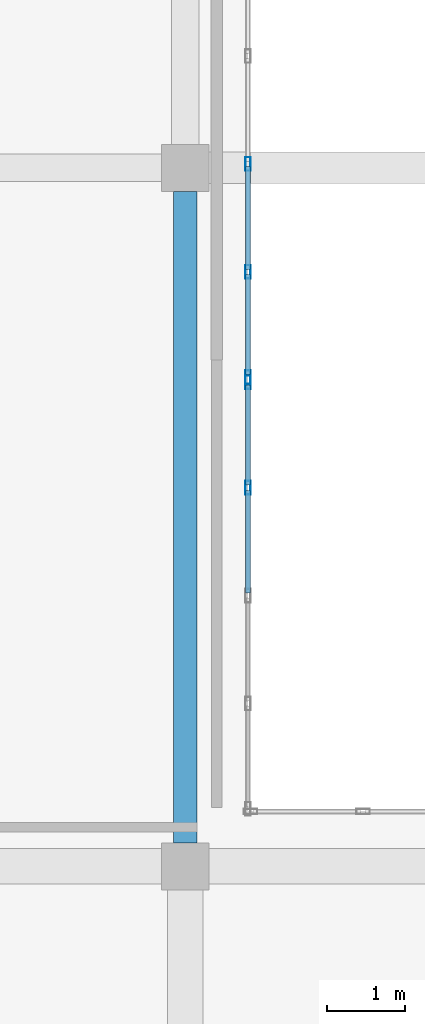
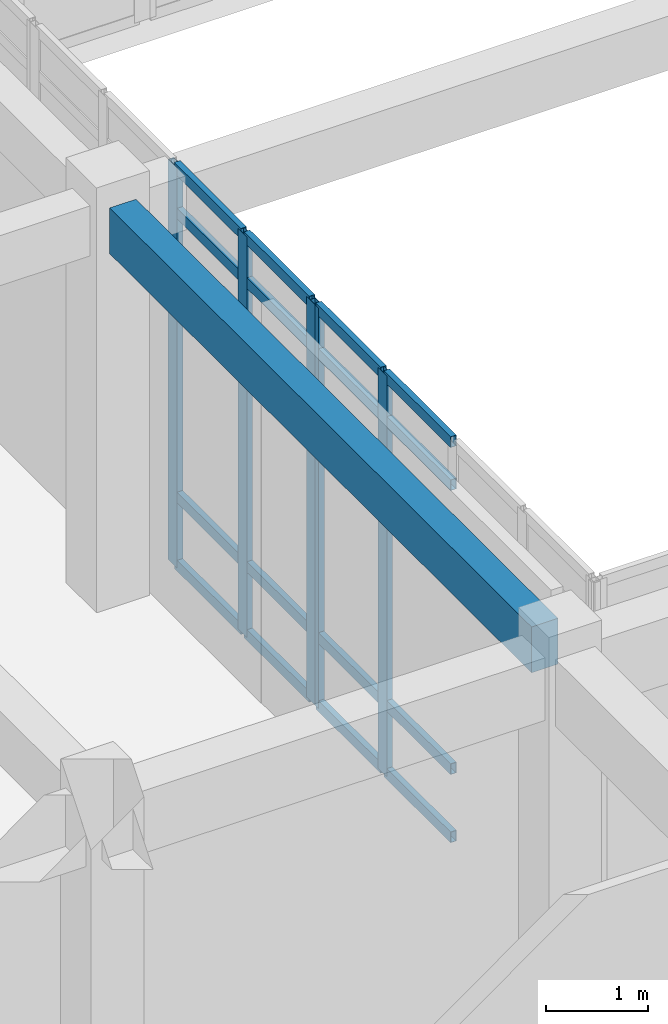
# One storey, part 62 of 121: 21 members, 1 beam, 2 elements without a shape of their own.
"""IFC4 building model written with IfcOpenShell, lengths in metres."""

from ifc_helpers import new_model, si_unit, direction, frame, origin, origin_2d, place, context, subcontext, project, spatial, rectangle, hollow_rectangle, extrude, material, layer, layer_set, material_profile, profile_set, type_object, element, aggregate, save


model = new_model("IFC4")

# Units and contexts
model_context = context("Model", 3, precision=1e-05, world=origin(), true_north=direction((0.0, 1.0)))
body_context = subcontext(model_context, "Body", "Model", "MODEL_VIEW")
ifc_project = project(units=[si_unit("LENGTHUNIT", "METRE"), si_unit("AREAUNIT", "SQUARE_METRE"), si_unit("VOLUMEUNIT", "CUBIC_METRE"), si_unit("PLANEANGLEUNIT", "RADIAN"), si_unit("MASSUNIT", "GRAM", prefix="KILO")], contexts=[model_context])

# Site, building, storey
site_placement = place(None, origin())
site = spatial("IfcSite", under=ifc_project, at=site_placement, CompositionType="ELEMENT")
building_placement = place(site_placement, origin())
building = spatial("IfcBuilding", under=site, at=building_placement, Name="Valcora Specialist Clinic", CompositionType="ELEMENT")
storey_placement = place(building_placement, origin())
storey = spatial("IfcBuildingStorey", under=building, at=storey_placement, Name="L00", CompositionType="ELEMENT", Elevation=0.0)

# Beam
ifc_material_1 = material(Name="Concrete C40/50", Category="concrete")
ifc_material_profile_1 = material_profile(ifc_material_1, rectangle(XDim=0.300048828125, YDim=0.550048828125, at=origin_2d()), Name="RC-BM-300X550")
ifc_profile_set_1 = profile_set([ifc_material_profile_1], Name="Concrete C40/50")
beam_type = type_object("IfcBeamType", Name="TY-BM-RC300X550", PredefinedType="BEAM", material=ifc_profile_set_1)
beam_placement = place(storey_placement, frame((111.199951171875, 81.60009765625, 4.534912109375), z_axis=(0.0, 1.0, 0.0), x_axis=(-1.0, 0.0, 0.0)))
element("IfcBeam", 1, at=beam_placement, inside=storey, type_object=beam_type, Name="Beam BM-L00-0599", PredefinedType="BEAM", context=body_context, shape_type="SweptSolid", body=[
    extrude(rectangle(XDim=0.300048828125, YDim=0.550048828125, at=origin_2d()), origin(), (0.0, 0.0, 1.0), 8.2998046875),
])

# Curtain wall, members
ifc_material_2 = material(Name="Anodized Bronze Aluminium 6063-T6", Category="aluminium")
ifc_layer = layer(ifc_material_2, 0.175048828125)
ifc_layer_set = layer_set([ifc_layer], Name="Anodized Bronze Aluminium 6063-T6")
curtain_wall_type = type_object("IfcCurtainWallType", Name="TY-CW-CRT15", PredefinedType="NOTDEFINED", material=ifc_layer_set)
curtain_wall_1_placement = place(storey_placement, origin())
curtain_wall_1 = element("IfcCurtainWall", 2, at=curtain_wall_1_placement, inside=storey, type_object=curtain_wall_type, Name="Curtain wall CW-L00-051", PredefinedType="NOTDEFINED")
ifc_material_profile_2 = material_profile(ifc_material_2, hollow_rectangle(XDim=0.06494140625, YDim=0.175048828125, WallThickness=0.00390625, at=origin_2d()), Name="AL-MUL-65X175")
ifc_profile_set_2 = profile_set([ifc_material_profile_2], Name="Anodized Bronze Aluminium 6063-T6")
member_type_1 = type_object("IfcMemberType", Name="TY-CWM-65X175", PredefinedType="MULLION", material=ifc_profile_set_2)
member_1_placement = place(storey_placement, frame((112.0, 90.25, 0.0), z_axis=(0.0, 0.0, 1.0), x_axis=(1.0, 0.0, 0.0)))
member_1 = element("IfcMember", 3, at=member_1_placement, type_object=member_type_1, Name="CW-CRT-15 mullion 3", PredefinedType="MULLION", context=body_context, shape_type="SweptSolid", body=[
    extrude(hollow_rectangle(XDim=0.06494140625, YDim=0.175048828125, WallThickness=0.00390625, at=origin_2d()), origin(), (0.0, 0.0, 1.0), 4.81005859375),
])
member_2_placement = place(storey_placement, frame((112.0, 88.875, 0.0), z_axis=(0.0, 0.0, 1.0), x_axis=(1.0, 0.0, 0.0)))
member_2 = element("IfcMember", 4, at=member_2_placement, type_object=member_type_1, Name="CW-CRT-15 mullion 4", PredefinedType="MULLION", context=body_context, shape_type="SweptSolid", body=[
    extrude(hollow_rectangle(XDim=0.06494140625, YDim=0.175048828125, WallThickness=0.00390625, at=origin_2d()), origin(), (0.0, 0.0, 1.0), 4.81005859375),
])
member_3_placement = place(storey_placement, frame((112.0, 87.532470703125, 0.0), z_axis=(0.0, 0.0, 1.0), x_axis=(1.0, 0.0, 0.0)))
member_3 = element("IfcMember", 5, at=member_3_placement, type_object=member_type_1, Name="CW-CRT-15 mullion 5", PredefinedType="MULLION", context=body_context, shape_type="SweptSolid", body=[
    extrude(hollow_rectangle(XDim=0.06494140625, YDim=0.175048828125, WallThickness=0.00390625, at=origin_2d()), origin(), (0.0, 0.0, 1.0), 4.81005859375),
])

curtain_wall_2_placement = place(storey_placement, origin())
curtain_wall_2 = element("IfcCurtainWall", 6, at=curtain_wall_2_placement, inside=storey, type_object=curtain_wall_type, Name="Curtain wall CW-L00-052", PredefinedType="NOTDEFINED")
member_4_placement = place(storey_placement, frame((112.0, 87.467529296875, 0.0), z_axis=(0.0, 0.0, 1.0), x_axis=(1.0, 0.0, 0.0)))
member_4 = element("IfcMember", 7, at=member_4_placement, type_object=member_type_1, Name="CW-CRT-15 mullion 1", PredefinedType="MULLION", context=body_context, shape_type="SweptSolid", body=[
    extrude(hollow_rectangle(XDim=0.06494140625, YDim=0.175048828125, WallThickness=0.00390625, at=origin_2d()), origin(), (0.0, 0.0, 1.0), 4.81005859375),
])
member_5_placement = place(storey_placement, frame((112.0, 86.125, 0.0), z_axis=(0.0, 0.0, 1.0), x_axis=(1.0, 0.0, 0.0)))
member_5 = element("IfcMember", 8, at=member_5_placement, type_object=member_type_1, Name="CW-CRT-15 mullion 2", PredefinedType="MULLION", context=body_context, shape_type="SweptSolid", body=[
    extrude(hollow_rectangle(XDim=0.06494140625, YDim=0.175048828125, WallThickness=0.00390625, at=origin_2d()), origin(), (0.0, 0.0, 1.0), 4.81005859375),
])

# Member
ifc_material_profile_3 = material_profile(ifc_material_2, hollow_rectangle(XDim=0.06494140625, YDim=0.1298828125, WallThickness=0.00390625, at=origin_2d()), Name="AL-TRN-65X130")
ifc_profile_set_3 = profile_set([ifc_material_profile_3], Name="Anodized Bronze Aluminium 6063-T6")
member_type_2 = type_object("IfcMemberType", Name="TY-CWT-65X130", PredefinedType="USERDEFINED", material=ifc_profile_set_3)
member_6_placement = place(storey_placement, frame((112.0, 90.217529296875, 0.032470703125), z_axis=(0.0, -1.0, 0.0), x_axis=(1.0, 0.0, 0.0)))
member_6 = element("IfcMember", 9, at=member_6_placement, type_object=member_type_2, Name="CW-CRT-15 transom 3.1", ObjectType="TRANSOM", PredefinedType="USERDEFINED", context=body_context, shape_type="SweptSolid", body=[
    extrude(hollow_rectangle(XDim=0.06494140625, YDim=0.1298828125, WallThickness=0.00390625, at=origin_2d()), origin(), (0.0, 0.0, 1.0), 1.31005859375),
])

member_7_placement = place(storey_placement, frame((112.0, 90.217529296875, 0.85009765625), z_axis=(0.0, -1.0, 0.0), x_axis=(1.0, 0.0, 0.0)))
member_7 = element("IfcMember", 10, at=member_7_placement, type_object=member_type_2, Name="CW-CRT-15 transom 3.2", ObjectType="TRANSOM", PredefinedType="USERDEFINED", context=body_context, shape_type="SweptSolid", body=[
    extrude(hollow_rectangle(XDim=0.06494140625, YDim=0.1298828125, WallThickness=0.00390625, at=origin_2d()), origin(), (0.0, 0.0, 1.0), 1.31005859375),
])

member_8_placement = place(storey_placement, frame((112.0, 90.217529296875, 4.260009765625), z_axis=(0.0, -1.0, 0.0), x_axis=(1.0, 0.0, 0.0)))
member_8 = element("IfcMember", 11, at=member_8_placement, type_object=member_type_2, Name="CW-CRT-15 transom 3.3", ObjectType="TRANSOM", PredefinedType="USERDEFINED", context=body_context, shape_type="SweptSolid", body=[
    extrude(hollow_rectangle(XDim=0.06494140625, YDim=0.1298828125, WallThickness=0.00390625, at=origin_2d()), origin(), (0.0, 0.0, 1.0), 1.31005859375),
])

member_9_placement = place(storey_placement, frame((112.0, 90.217529296875, 4.777587890625), z_axis=(0.0, -1.0, 0.0), x_axis=(1.0, 0.0, 0.0)))
member_9 = element("IfcMember", 12, at=member_9_placement, type_object=member_type_2, Name="CW-CRT-15 transom 3.4", ObjectType="TRANSOM", PredefinedType="USERDEFINED", context=body_context, shape_type="SweptSolid", body=[
    extrude(hollow_rectangle(XDim=0.06494140625, YDim=0.1298828125, WallThickness=0.00390625, at=origin_2d()), origin(), (0.0, 0.0, 1.0), 1.31005859375),
])

member_10_placement = place(storey_placement, frame((112.0, 88.842529296875, 0.032470703125), z_axis=(0.0, -1.0, 0.0), x_axis=(1.0, 0.0, 0.0)))
member_10 = element("IfcMember", 13, at=member_10_placement, type_object=member_type_2, Name="CW-CRT-15 transom 4.1", ObjectType="TRANSOM", PredefinedType="USERDEFINED", context=body_context, shape_type="SweptSolid", body=[
    extrude(hollow_rectangle(XDim=0.06494140625, YDim=0.1298828125, WallThickness=0.00390625, at=origin_2d()), origin(), (0.0, 0.0, 1.0), 1.277587890625),
])

member_11_placement = place(storey_placement, frame((112.0, 88.842529296875, 0.85009765625), z_axis=(0.0, -1.0, 0.0), x_axis=(1.0, 0.0, 0.0)))
member_11 = element("IfcMember", 14, at=member_11_placement, type_object=member_type_2, Name="CW-CRT-15 transom 4.2", ObjectType="TRANSOM", PredefinedType="USERDEFINED", context=body_context, shape_type="SweptSolid", body=[
    extrude(hollow_rectangle(XDim=0.06494140625, YDim=0.1298828125, WallThickness=0.00390625, at=origin_2d()), origin(), (0.0, 0.0, 1.0), 1.277587890625),
])

member_12_placement = place(storey_placement, frame((112.0, 88.842529296875, 4.260009765625), z_axis=(0.0, -1.0, 0.0), x_axis=(1.0, 0.0, 0.0)))
member_12 = element("IfcMember", 15, at=member_12_placement, type_object=member_type_2, Name="CW-CRT-15 transom 4.3", ObjectType="TRANSOM", PredefinedType="USERDEFINED", context=body_context, shape_type="SweptSolid", body=[
    extrude(hollow_rectangle(XDim=0.06494140625, YDim=0.1298828125, WallThickness=0.00390625, at=origin_2d()), origin(), (0.0, 0.0, 1.0), 1.277587890625),
])

member_13_placement = place(storey_placement, frame((112.0, 88.842529296875, 4.777587890625), z_axis=(0.0, -1.0, 0.0), x_axis=(1.0, 0.0, 0.0)))
member_13 = element("IfcMember", 16, at=member_13_placement, type_object=member_type_2, Name="CW-CRT-15 transom 4.4", ObjectType="TRANSOM", PredefinedType="USERDEFINED", context=body_context, shape_type="SweptSolid", body=[
    extrude(hollow_rectangle(XDim=0.06494140625, YDim=0.1298828125, WallThickness=0.00390625, at=origin_2d()), origin(), (0.0, 0.0, 1.0), 1.277587890625),
])

aggregate(curtain_wall_1, [member_1, member_2, member_3, member_6, member_7, member_8, member_9, member_10, member_11, member_12, member_13])

member_14_placement = place(storey_placement, frame((112.0, 87.43505859375, 0.032470703125), z_axis=(0.0, -1.0, 0.0), x_axis=(1.0, 0.0, 0.0)))
member_14 = element("IfcMember", 17, at=member_14_placement, type_object=member_type_2, Name="CW-CRT-15 transom 1.1", ObjectType="TRANSOM", PredefinedType="USERDEFINED", context=body_context, shape_type="SweptSolid", body=[
    extrude(hollow_rectangle(XDim=0.06494140625, YDim=0.1298828125, WallThickness=0.00390625, at=origin_2d()), origin(), (0.0, 0.0, 1.0), 1.277587890625),
])

member_15_placement = place(storey_placement, frame((112.0, 87.43505859375, 0.85009765625), z_axis=(0.0, -1.0, 0.0), x_axis=(1.0, 0.0, 0.0)))
member_15 = element("IfcMember", 18, at=member_15_placement, type_object=member_type_2, Name="CW-CRT-15 transom 1.2", ObjectType="TRANSOM", PredefinedType="USERDEFINED", context=body_context, shape_type="SweptSolid", body=[
    extrude(hollow_rectangle(XDim=0.06494140625, YDim=0.1298828125, WallThickness=0.00390625, at=origin_2d()), origin(), (0.0, 0.0, 1.0), 1.277587890625),
])

member_16_placement = place(storey_placement, frame((112.0, 87.43505859375, 4.260009765625), z_axis=(0.0, -1.0, 0.0), x_axis=(1.0, 0.0, 0.0)))
member_16 = element("IfcMember", 19, at=member_16_placement, type_object=member_type_2, Name="CW-CRT-15 transom 1.3", ObjectType="TRANSOM", PredefinedType="USERDEFINED", context=body_context, shape_type="SweptSolid", body=[
    extrude(hollow_rectangle(XDim=0.06494140625, YDim=0.1298828125, WallThickness=0.00390625, at=origin_2d()), origin(), (0.0, 0.0, 1.0), 1.277587890625),
])

member_17_placement = place(storey_placement, frame((112.0, 87.43505859375, 4.777587890625), z_axis=(0.0, -1.0, 0.0), x_axis=(1.0, 0.0, 0.0)))
member_17 = element("IfcMember", 20, at=member_17_placement, type_object=member_type_2, Name="CW-CRT-15 transom 1.4", ObjectType="TRANSOM", PredefinedType="USERDEFINED", context=body_context, shape_type="SweptSolid", body=[
    extrude(hollow_rectangle(XDim=0.06494140625, YDim=0.1298828125, WallThickness=0.00390625, at=origin_2d()), origin(), (0.0, 0.0, 1.0), 1.277587890625),
])

member_18_placement = place(storey_placement, frame((112.0, 86.092529296875, 0.032470703125), z_axis=(0.0, -1.0, 0.0), x_axis=(1.0, 0.0, 0.0)))
member_18 = element("IfcMember", 21, at=member_18_placement, type_object=member_type_2, Name="CW-CRT-15 transom 2.1", ObjectType="TRANSOM", PredefinedType="USERDEFINED", context=body_context, shape_type="SweptSolid", body=[
    extrude(hollow_rectangle(XDim=0.06494140625, YDim=0.1298828125, WallThickness=0.00390625, at=origin_2d()), origin(), (0.0, 0.0, 1.0), 1.31005859375),
])

member_19_placement = place(storey_placement, frame((112.0, 86.092529296875, 0.85009765625), z_axis=(0.0, -1.0, 0.0), x_axis=(1.0, 0.0, 0.0)))
member_19 = element("IfcMember", 22, at=member_19_placement, type_object=member_type_2, Name="CW-CRT-15 transom 2.2", ObjectType="TRANSOM", PredefinedType="USERDEFINED", context=body_context, shape_type="SweptSolid", body=[
    extrude(hollow_rectangle(XDim=0.06494140625, YDim=0.1298828125, WallThickness=0.00390625, at=origin_2d()), origin(), (0.0, 0.0, 1.0), 1.31005859375),
])

member_20_placement = place(storey_placement, frame((112.0, 86.092529296875, 4.260009765625), z_axis=(0.0, -1.0, 0.0), x_axis=(1.0, 0.0, 0.0)))
member_20 = element("IfcMember", 23, at=member_20_placement, type_object=member_type_2, Name="CW-CRT-15 transom 2.3", ObjectType="TRANSOM", PredefinedType="USERDEFINED", context=body_context, shape_type="SweptSolid", body=[
    extrude(hollow_rectangle(XDim=0.06494140625, YDim=0.1298828125, WallThickness=0.00390625, at=origin_2d()), origin(), (0.0, 0.0, 1.0), 1.31005859375),
])

member_21_placement = place(storey_placement, frame((112.0, 86.092529296875, 4.777587890625), z_axis=(0.0, -1.0, 0.0), x_axis=(1.0, 0.0, 0.0)))
member_21 = element("IfcMember", 24, at=member_21_placement, type_object=member_type_2, Name="CW-CRT-15 transom 2.4", ObjectType="TRANSOM", PredefinedType="USERDEFINED", context=body_context, shape_type="SweptSolid", body=[
    extrude(hollow_rectangle(XDim=0.06494140625, YDim=0.1298828125, WallThickness=0.00390625, at=origin_2d()), origin(), (0.0, 0.0, 1.0), 1.31005859375),
])

aggregate(curtain_wall_2, [member_4, member_5, member_14, member_15, member_16, member_17, member_18, member_19, member_20, member_21])

save(model, "model.ifc")
